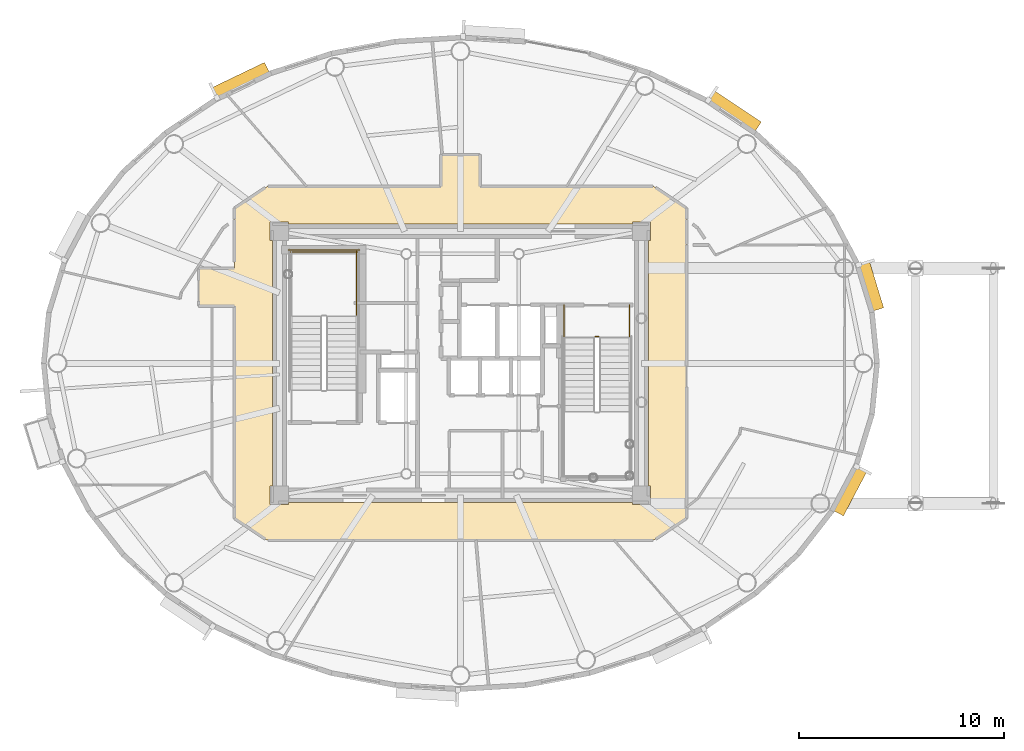
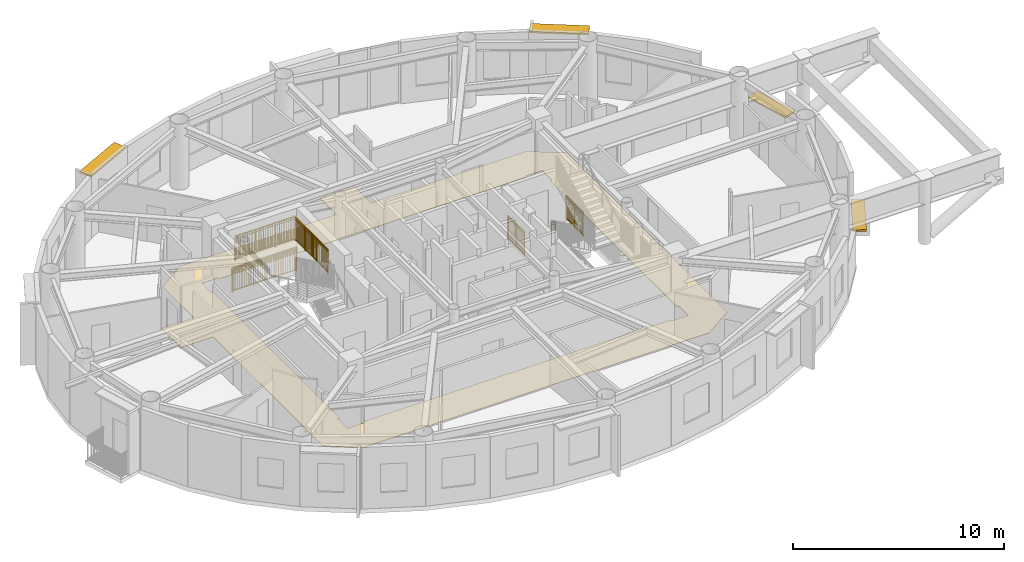
# One storey, part 18 of 19: 6 railings, 4 shading devices, 1 covering.
"""IFC4 building model written with IfcOpenShell, lengths in metres."""

from ifc_helpers import new_model, si_unit, direction, frame, origin, origin_2d, place, context, subcontext, project, spatial, polyline, rectangle, outline, extrude, source, transform, mapped, material, layer, layer_set, type_object, element, save


model = new_model("IFC4")

# Units and contexts
model_context = context("Model", 3, precision=1e-05, world=origin(), true_north=direction((0.0, 1.0)))
body_context = subcontext(model_context, "Body", "Model", "MODEL_VIEW")
ifc_project = project(units=[si_unit("LENGTHUNIT", "METRE"), si_unit("AREAUNIT", "SQUARE_METRE"), si_unit("VOLUMEUNIT", "CUBIC_METRE"), si_unit("PLANEANGLEUNIT", "RADIAN"), si_unit("MASSUNIT", "GRAM", prefix="KILO")], contexts=[model_context])

# Site, building, storey
site_placement = place(None, origin())
site = spatial("IfcSite", under=ifc_project, at=site_placement, CompositionType="ELEMENT")
building_placement = place(site_placement, origin())
building = spatial("IfcBuilding", under=site, at=building_placement, Name="Linh Dai School and Residence Tower", CompositionType="ELEMENT")
storey_placement = place(building_placement, frame((0.0, 0.0, 339.199951171875)))
storey = spatial("IfcBuildingStorey", under=building, at=storey_placement, Name="L84", CompositionType="ELEMENT", Elevation=339.199951171875)

# Covering
ifc_material_1 = material(Name="Polished Terrazzo Floor Finish", Category="masonry")
ifc_layer_1 = layer(ifc_material_1, 0.02490234375)
ifc_layer_set_1 = layer_set([ifc_layer_1], Name="Polished Terrazzo Floor Finish")
covering_type = type_object("IfcCoveringType", Name="COV-FLR-TRZ-25", PredefinedType="FLOORING", material=ifc_layer_set_1)
covering_placement = place(storey_placement, origin())
element("IfcCovering", 1, at=covering_placement, inside=storey, type_object=covering_type, Name="L84 Residential Floor Corridor Floor Finish", PredefinedType="FLOORING", context=body_context, shape_type="SweptSolid", body=[
    extrude(outline(polyline([(23.199951171875, 31.64990234375), (24.949951171875, 31.64990234375), (24.949951171875, 34.58251953125), (26.458740234375, 35.591796875), (26.580078125, 35.64990234375), (35.050048828125, 35.64990234375), (35.050048828125, 37.199951171875), (36.949951171875, 37.199951171875), (36.949951171875, 35.64990234375), (45.419921875, 35.64990234375), (45.541259765625, 35.591796875), (47.050048828125, 34.58251953125), (47.050048828125, 19.41748046875), (45.541259765625, 18.408203125), (45.419921875, 18.35009765625), (26.580078125, 18.35009765625), (26.458740234375, 18.408203125), (24.949951171875, 19.41748046875), (24.949951171875, 29.800048828125), (23.199951171875, 29.800048828125), (23.199951171875, 31.64990234375)]), holes=[polyline([(27.60009765625, 33.800048828125), (27.60009765625, 33.89990234375), (26.699951171875, 33.89990234375), (26.699951171875, 33.0), (26.800048828125, 33.0), (26.800048828125, 21.0), (26.699951171875, 21.0), (26.699951171875, 20.10009765625), (27.60009765625, 20.10009765625), (27.60009765625, 20.199951171875), (44.39990234375, 20.199951171875), (44.39990234375, 20.10009765625), (45.300048828125, 20.10009765625), (45.300048828125, 21.0), (45.199951171875, 21.0), (45.199951171875, 33.0), (45.300048828125, 33.0), (45.300048828125, 33.89990234375), (44.39990234375, 33.89990234375), (44.39990234375, 33.800048828125), (27.60009765625, 33.800048828125)])]), origin(), (0.0, 0.0, 1.0), 0.02001953125),
])

# Shading devices
ifc_material_2 = material(Name="Terracotta Ceramic Sunshade", Category="masonry")
ifc_layer_2 = layer(ifc_material_2, 0.10009765625)
ifc_layer_set_2 = layer_set([ifc_layer_2], Name="Terracotta Ceramic Sunshade")
shading_device_type = type_object("IfcShadingDeviceType", Name="SHD-TC-650", PredefinedType="USERDEFINED", material=ifc_layer_set_2)
shared_shape_1 = source(origin(), body_context, "Body", "SweptSolid", [
    extrude(rectangle(XDim=2.4365234375, YDim=0.64990234375, at=origin_2d()), origin(), (0.0, 0.0, 1.0), 0.10009765625),
])
shading_device_1_placement = place(storey_placement, frame((56.025634765625, 30.78369140625, 1.9150390625), z_axis=(0.0, 0.0, 1.0), x_axis=(0.293094784248, -0.956083389379, 0.0)))
element("IfcShadingDevice", 2, at=shading_device_1_placement, inside=storey, type_object=shading_device_type, Name="L84 Terracotta Horizontal Sunshade Band 02", ObjectType="SUNSHADE", PredefinedType="USERDEFINED", context=body_context, shape_type="MappedRepresentation", body=[
    mapped(shared_shape_1, transform((0.0, 0.0, 0.0), x_axis=(1.0, 0.0, 0.0), y_axis=(0.0, 1.0, 0.0), z_axis=(0.0, 0.0, 1.0), scale=1.0)),
])
shared_shape_2 = source(origin(), body_context, "Body", "SweptSolid", [
    extrude(rectangle(XDim=2.8076171875, YDim=0.64990234375, at=origin_2d()), origin(), (0.0, 0.0, 1.0), 0.10009765625),
])
shading_device_2_placement = place(storey_placement, frame((49.361572265625, 39.303955078125, 3.429931640625), z_axis=(0.0, 0.0, 1.0), x_axis=(0.831201837679, -0.555970777144, 0.0)))
element("IfcShadingDevice", 3, at=shading_device_2_placement, inside=storey, type_object=shading_device_type, Name="L84 Terracotta Horizontal Sunshade Band 06", ObjectType="SUNSHADE", PredefinedType="USERDEFINED", context=body_context, shape_type="MappedRepresentation", body=[
    mapped(shared_shape_2, transform((0.0, 0.0, 0.0), x_axis=(1.0, 0.0, 0.0), y_axis=(0.0, 1.0, 0.0), z_axis=(0.0, 0.0, 1.0), scale=1.0)),
])
shared_shape_3 = source(origin(), body_context, "Body", "SweptSolid", [
    extrude(rectangle(XDim=2.904052734375, YDim=0.64990234375, at=origin_2d()), origin(), (0.0, 0.0, 1.0), 0.10009765625),
])
shading_device_3_placement = place(storey_placement, frame((25.25244140625, 40.79150390625, 3.429931640625), z_axis=(0.0, 0.0, 1.0), x_axis=(0.901550652892, 0.432673572418, 0.0)))
element("IfcShadingDevice", 4, at=shading_device_3_placement, inside=storey, type_object=shading_device_type, Name="L84 Terracotta Horizontal Sunshade Band 14", ObjectType="SUNSHADE", PredefinedType="USERDEFINED", context=body_context, shape_type="MappedRepresentation", body=[
    mapped(shared_shape_3, transform((0.0, 0.0, 0.0), x_axis=(1.0, 0.0, 0.0), y_axis=(0.0, 1.0, 0.0), z_axis=(0.0, 0.0, 1.0), scale=1.0)),
])
shared_shape_4 = source(origin(), body_context, "Body", "SweptSolid", [
    extrude(rectangle(XDim=2.505615234375, YDim=0.64990234375, at=origin_2d()), origin(), (0.0, 0.0, 1.0), 0.10009765625),
])
shading_device_4_placement = place(storey_placement, frame((55.02294921875, 20.7998046875, 1.9150390625), z_axis=(0.0, 0.0, 1.0), x_axis=(-0.46754020214, -0.883971809156, 0.0)))
element("IfcShadingDevice", 5, at=shading_device_4_placement, inside=storey, type_object=shading_device_type, Name="L84 Terracotta Horizontal Sunshade Band 38", ObjectType="SUNSHADE", PredefinedType="USERDEFINED", context=body_context, shape_type="MappedRepresentation", body=[
    mapped(shared_shape_4, transform((0.0, 0.0, 0.0), x_axis=(1.0, 0.0, 0.0), y_axis=(0.0, 1.0, 0.0), z_axis=(0.0, 0.0, 1.0), scale=1.0)),
])

# Railings
ifc_material_3 = material(Name="Structural Steel S355JR", Category="steel")
railing_type = type_object("IfcRailingType", Name="RL-ST-GUARD-1400", PredefinedType="GUARDRAIL", material=ifc_material_3)
shared_shape_5 = source(origin(), body_context, "Body", "SweptSolid", [
    extrude(rectangle(XDim=0.048095703125, YDim=0.048095703125, at=origin_2d()), frame((0.0, 0.0, 1.3759765625), z_axis=(-1.0, 0.0, 0.0), x_axis=(0.0, -1.0, 0.0)), (0.0, 0.0, 1.0), 3.300048828125),
    extrude(rectangle(XDim=0.048095703125, YDim=0.048095703125, at=origin_2d()), frame((0.0, 0.0, 0.10009765625), z_axis=(-1.0, 0.0, 0.0), x_axis=(0.0, -1.0, 0.0)), (0.0, 0.0, 1.0), 3.300048828125),
    extrude(rectangle(XDim=0.030029296875, YDim=0.030029296875, at=origin_2d()), frame((0.0, 0.0, 1.239990234375), z_axis=(-1.0, 0.0, 0.0), x_axis=(0.0, -1.0, 0.0)), (0.0, 0.0, 1.0), 3.300048828125),
    extrude(rectangle(XDim=0.02001953125, YDim=0.02001953125, at=origin_2d()), frame((-0.09716796875, 0.0, 0.10009765625)), (0.0, 0.0, 1.0), 1.251708984375),
    extrude(rectangle(XDim=0.02001953125, YDim=0.02001953125, at=origin_2d()), frame((-0.194091796875, 0.0, 0.10009765625)), (0.0, 0.0, 1.0), 1.251708984375),
    extrude(rectangle(XDim=0.02001953125, YDim=0.02001953125, at=origin_2d()), frame((-0.291259765625, 0.0, 0.10009765625)), (0.0, 0.0, 1.0), 1.251708984375),
    extrude(rectangle(XDim=0.02001953125, YDim=0.02001953125, at=origin_2d()), frame((-0.38818359375, 0.0, 0.10009765625)), (0.0, 0.0, 1.0), 1.251708984375),
    extrude(rectangle(XDim=0.02001953125, YDim=0.02001953125, at=origin_2d()), frame((-0.4853515625, 0.0, 0.10009765625)), (0.0, 0.0, 1.0), 1.251708984375),
    extrude(rectangle(XDim=0.02001953125, YDim=0.02001953125, at=origin_2d()), frame((-0.582275390625, 0.0, 0.10009765625)), (0.0, 0.0, 1.0), 1.251708984375),
    extrude(rectangle(XDim=0.02001953125, YDim=0.02001953125, at=origin_2d()), frame((-0.679443359375, 0.0, 0.10009765625)), (0.0, 0.0, 1.0), 1.251708984375),
    extrude(rectangle(XDim=0.02001953125, YDim=0.02001953125, at=origin_2d()), frame((-0.7763671875, 0.0, 0.10009765625)), (0.0, 0.0, 1.0), 1.251708984375),
    extrude(rectangle(XDim=0.02001953125, YDim=0.02001953125, at=origin_2d()), frame((-0.87353515625, 0.0, 0.10009765625)), (0.0, 0.0, 1.0), 1.251708984375),
    extrude(rectangle(XDim=0.02001953125, YDim=0.02001953125, at=origin_2d()), frame((-0.970703125, 0.0, 0.10009765625)), (0.0, 0.0, 1.0), 1.251708984375),
    extrude(rectangle(XDim=0.02001953125, YDim=0.02001953125, at=origin_2d()), frame((-1.164794921875, 0.0, 0.10009765625)), (0.0, 0.0, 1.0), 1.251708984375),
    extrude(rectangle(XDim=0.02001953125, YDim=0.02001953125, at=origin_2d()), frame((-1.26171875, 0.0, 0.10009765625)), (0.0, 0.0, 1.0), 1.251708984375),
    extrude(rectangle(XDim=0.02001953125, YDim=0.02001953125, at=origin_2d()), frame((-1.35888671875, 0.0, 0.10009765625)), (0.0, 0.0, 1.0), 1.251708984375),
    extrude(rectangle(XDim=0.02001953125, YDim=0.02001953125, at=origin_2d()), frame((-1.455810546875, 0.0, 0.10009765625)), (0.0, 0.0, 1.0), 1.251708984375),
    extrude(rectangle(XDim=0.02001953125, YDim=0.02001953125, at=origin_2d()), frame((-1.552978515625, 0.0, 0.10009765625)), (0.0, 0.0, 1.0), 1.251708984375),
    extrude(rectangle(XDim=0.02001953125, YDim=0.02001953125, at=origin_2d()), frame((-1.64990234375, 0.0, 0.10009765625)), (0.0, 0.0, 1.0), 1.251708984375),
    extrude(rectangle(XDim=0.02001953125, YDim=0.02001953125, at=origin_2d()), frame((-1.7470703125, 0.0, 0.10009765625)), (0.0, 0.0, 1.0), 1.251708984375),
    extrude(rectangle(XDim=0.02001953125, YDim=0.02001953125, at=origin_2d()), frame((-1.84423828125, 0.0, 0.10009765625)), (0.0, 0.0, 1.0), 1.251708984375),
    extrude(rectangle(XDim=0.02001953125, YDim=0.02001953125, at=origin_2d()), frame((-1.941162109375, 0.0, 0.10009765625)), (0.0, 0.0, 1.0), 1.251708984375),
    extrude(rectangle(XDim=0.02001953125, YDim=0.02001953125, at=origin_2d()), frame((-2.038330078125, 0.0, 0.10009765625)), (0.0, 0.0, 1.0), 1.251708984375),
    extrude(rectangle(XDim=0.02001953125, YDim=0.02001953125, at=origin_2d()), frame((-2.13525390625, 0.0, 0.10009765625)), (0.0, 0.0, 1.0), 1.251708984375),
    extrude(rectangle(XDim=0.02001953125, YDim=0.02001953125, at=origin_2d()), frame((-2.329345703125, 0.0, 0.10009765625)), (0.0, 0.0, 1.0), 1.251708984375),
    extrude(rectangle(XDim=0.02001953125, YDim=0.02001953125, at=origin_2d()), frame((-2.426513671875, 0.0, 0.10009765625)), (0.0, 0.0, 1.0), 1.251708984375),
    extrude(rectangle(XDim=0.02001953125, YDim=0.02001953125, at=origin_2d()), frame((-2.523681640625, 0.0, 0.10009765625)), (0.0, 0.0, 1.0), 1.251708984375),
    extrude(rectangle(XDim=0.02001953125, YDim=0.02001953125, at=origin_2d()), frame((-2.62060546875, 0.0, 0.10009765625)), (0.0, 0.0, 1.0), 1.251708984375),
    extrude(rectangle(XDim=0.02001953125, YDim=0.02001953125, at=origin_2d()), frame((-2.7177734375, 0.0, 0.10009765625)), (0.0, 0.0, 1.0), 1.251708984375),
    extrude(rectangle(XDim=0.02001953125, YDim=0.02001953125, at=origin_2d()), frame((-2.814697265625, 0.0, 0.10009765625)), (0.0, 0.0, 1.0), 1.251708984375),
    extrude(rectangle(XDim=0.02001953125, YDim=0.02001953125, at=origin_2d()), frame((-2.911865234375, 0.0, 0.10009765625)), (0.0, 0.0, 1.0), 1.251708984375),
    extrude(rectangle(XDim=0.02001953125, YDim=0.02001953125, at=origin_2d()), frame((-3.0087890625, 0.0, 0.10009765625)), (0.0, 0.0, 1.0), 1.251708984375),
    extrude(rectangle(XDim=0.02001953125, YDim=0.02001953125, at=origin_2d()), frame((-3.10595703125, 0.0, 0.10009765625)), (0.0, 0.0, 1.0), 1.251708984375),
    extrude(rectangle(XDim=0.02001953125, YDim=0.02001953125, at=origin_2d()), frame((-3.202880859375, 0.0, 0.10009765625)), (0.0, 0.0, 1.0), 1.251708984375),
    extrude(rectangle(XDim=0.0419921875, YDim=0.0419921875, at=origin_2d()), origin(), (0.0, 0.0, 1.0), 1.3759765625),
    extrude(rectangle(XDim=0.0419921875, YDim=0.0419921875, at=origin_2d()), frame((-1.10009765625, 0.0, 0.0)), (0.0, 0.0, 1.0), 1.3759765625),
    extrude(rectangle(XDim=0.0419921875, YDim=0.0419921875, at=origin_2d()), frame((-2.199951171875, 0.0, 0.0)), (0.0, 0.0, 1.0), 1.3759765625),
    extrude(rectangle(XDim=0.0419921875, YDim=0.0419921875, at=origin_2d()), frame((-3.300048828125, 0.0, 0.0)), (0.0, 0.0, 1.0), 1.3759765625),
])
railing_1_placement = place(storey_placement, frame((30.97998046875, 32.449951171875, 1.900146484375)))
element("IfcRailing", 6, at=railing_1_placement, inside=storey, type_object=railing_type, Name="L84 ST1 stair guard 5", PredefinedType="GUARDRAIL", context=body_context, shape_type="MappedRepresentation", body=[
    mapped(shared_shape_5, transform((0.0, 0.0, 0.0), x_axis=(1.0, 0.0, 0.0), y_axis=(0.0, 1.0, 0.0), z_axis=(0.0, 0.0, 1.0), scale=1.0)),
])
shared_shape_6 = source(origin(), body_context, "Body", "SweptSolid", [
    extrude(rectangle(XDim=0.048095703125, YDim=0.048095703125, at=origin_2d()), frame((0.0, 0.0, 1.3759765625), z_axis=(-1.0, 0.0, 0.0), x_axis=(0.0, -1.0, 0.0)), (0.0, 0.0, 1.0), 3.5),
    extrude(rectangle(XDim=0.048095703125, YDim=0.048095703125, at=origin_2d()), frame((0.0, 0.0, 0.10009765625), z_axis=(-1.0, 0.0, 0.0), x_axis=(0.0, -1.0, 0.0)), (0.0, 0.0, 1.0), 3.5),
    extrude(rectangle(XDim=0.030029296875, YDim=0.030029296875, at=origin_2d()), frame((0.0, 0.0, 1.239990234375), z_axis=(-1.0, 0.0, 0.0), x_axis=(0.0, -1.0, 0.0)), (0.0, 0.0, 1.0), 3.5),
    extrude(rectangle(XDim=0.02001953125, YDim=0.02001953125, at=origin_2d()), frame((-0.09716796875, 0.0, 0.10009765625)), (0.0, 0.0, 1.0), 1.251708984375),
    extrude(rectangle(XDim=0.02001953125, YDim=0.02001953125, at=origin_2d()), frame((-0.1943359375, 0.0, 0.10009765625)), (0.0, 0.0, 1.0), 1.251708984375),
    extrude(rectangle(XDim=0.02001953125, YDim=0.02001953125, at=origin_2d()), frame((-0.291748046875, 0.0, 0.10009765625)), (0.0, 0.0, 1.0), 1.251708984375),
    extrude(rectangle(XDim=0.02001953125, YDim=0.02001953125, at=origin_2d()), frame((-0.388916015625, 0.0, 0.10009765625)), (0.0, 0.0, 1.0), 1.251708984375),
    extrude(rectangle(XDim=0.02001953125, YDim=0.02001953125, at=origin_2d()), frame((-0.486083984375, 0.0, 0.10009765625)), (0.0, 0.0, 1.0), 1.251708984375),
    extrude(rectangle(XDim=0.02001953125, YDim=0.02001953125, at=origin_2d()), frame((-0.583251953125, 0.0, 0.10009765625)), (0.0, 0.0, 1.0), 1.251708984375),
    extrude(rectangle(XDim=0.02001953125, YDim=0.02001953125, at=origin_2d()), frame((-0.6806640625, 0.0, 0.10009765625)), (0.0, 0.0, 1.0), 1.251708984375),
    extrude(rectangle(XDim=0.02001953125, YDim=0.02001953125, at=origin_2d()), frame((-0.77783203125, 0.0, 0.10009765625)), (0.0, 0.0, 1.0), 1.251708984375),
    extrude(rectangle(XDim=0.02001953125, YDim=0.02001953125, at=origin_2d()), frame((-0.875, 0.0, 0.10009765625)), (0.0, 0.0, 1.0), 1.251708984375),
    extrude(rectangle(XDim=0.02001953125, YDim=0.02001953125, at=origin_2d()), frame((-0.97216796875, 0.0, 0.10009765625)), (0.0, 0.0, 1.0), 1.251708984375),
    extrude(rectangle(XDim=0.02001953125, YDim=0.02001953125, at=origin_2d()), frame((-1.0693359375, 0.0, 0.10009765625)), (0.0, 0.0, 1.0), 1.251708984375),
    extrude(rectangle(XDim=0.02001953125, YDim=0.02001953125, at=origin_2d()), frame((-1.263916015625, 0.0, 0.10009765625)), (0.0, 0.0, 1.0), 1.251708984375),
    extrude(rectangle(XDim=0.02001953125, YDim=0.02001953125, at=origin_2d()), frame((-1.361083984375, 0.0, 0.10009765625)), (0.0, 0.0, 1.0), 1.251708984375),
    extrude(rectangle(XDim=0.02001953125, YDim=0.02001953125, at=origin_2d()), frame((-1.458251953125, 0.0, 0.10009765625)), (0.0, 0.0, 1.0), 1.251708984375),
    extrude(rectangle(XDim=0.02001953125, YDim=0.02001953125, at=origin_2d()), frame((-1.5556640625, 0.0, 0.10009765625)), (0.0, 0.0, 1.0), 1.251708984375),
    extrude(rectangle(XDim=0.02001953125, YDim=0.02001953125, at=origin_2d()), frame((-1.65283203125, 0.0, 0.10009765625)), (0.0, 0.0, 1.0), 1.251708984375),
    extrude(rectangle(XDim=0.02001953125, YDim=0.02001953125, at=origin_2d()), frame((-1.75, 0.0, 0.10009765625)), (0.0, 0.0, 1.0), 1.251708984375),
    extrude(rectangle(XDim=0.02001953125, YDim=0.02001953125, at=origin_2d()), frame((-1.84716796875, 0.0, 0.10009765625)), (0.0, 0.0, 1.0), 1.251708984375),
    extrude(rectangle(XDim=0.02001953125, YDim=0.02001953125, at=origin_2d()), frame((-1.9443359375, 0.0, 0.10009765625)), (0.0, 0.0, 1.0), 1.251708984375),
    extrude(rectangle(XDim=0.02001953125, YDim=0.02001953125, at=origin_2d()), frame((-2.041748046875, 0.0, 0.10009765625)), (0.0, 0.0, 1.0), 1.251708984375),
    extrude(rectangle(XDim=0.02001953125, YDim=0.02001953125, at=origin_2d()), frame((-2.138916015625, 0.0, 0.10009765625)), (0.0, 0.0, 1.0), 1.251708984375),
    extrude(rectangle(XDim=0.02001953125, YDim=0.02001953125, at=origin_2d()), frame((-2.236083984375, 0.0, 0.10009765625)), (0.0, 0.0, 1.0), 1.251708984375),
    extrude(rectangle(XDim=0.02001953125, YDim=0.02001953125, at=origin_2d()), frame((-2.4306640625, 0.0, 0.10009765625)), (0.0, 0.0, 1.0), 1.251708984375),
    extrude(rectangle(XDim=0.02001953125, YDim=0.02001953125, at=origin_2d()), frame((-2.52783203125, 0.0, 0.10009765625)), (0.0, 0.0, 1.0), 1.251708984375),
    extrude(rectangle(XDim=0.02001953125, YDim=0.02001953125, at=origin_2d()), frame((-2.625, 0.0, 0.10009765625)), (0.0, 0.0, 1.0), 1.251708984375),
    extrude(rectangle(XDim=0.02001953125, YDim=0.02001953125, at=origin_2d()), frame((-2.72216796875, 0.0, 0.10009765625)), (0.0, 0.0, 1.0), 1.251708984375),
    extrude(rectangle(XDim=0.02001953125, YDim=0.02001953125, at=origin_2d()), frame((-2.8193359375, 0.0, 0.10009765625)), (0.0, 0.0, 1.0), 1.251708984375),
    extrude(rectangle(XDim=0.02001953125, YDim=0.02001953125, at=origin_2d()), frame((-2.916748046875, 0.0, 0.10009765625)), (0.0, 0.0, 1.0), 1.251708984375),
    extrude(rectangle(XDim=0.02001953125, YDim=0.02001953125, at=origin_2d()), frame((-3.013916015625, 0.0, 0.10009765625)), (0.0, 0.0, 1.0), 1.251708984375),
    extrude(rectangle(XDim=0.02001953125, YDim=0.02001953125, at=origin_2d()), frame((-3.111083984375, 0.0, 0.10009765625)), (0.0, 0.0, 1.0), 1.251708984375),
    extrude(rectangle(XDim=0.02001953125, YDim=0.02001953125, at=origin_2d()), frame((-3.208251953125, 0.0, 0.10009765625)), (0.0, 0.0, 1.0), 1.251708984375),
    extrude(rectangle(XDim=0.02001953125, YDim=0.02001953125, at=origin_2d()), frame((-3.3056640625, 0.0, 0.10009765625)), (0.0, 0.0, 1.0), 1.251708984375),
    extrude(rectangle(XDim=0.02001953125, YDim=0.02001953125, at=origin_2d()), frame((-3.40283203125, 0.0, 0.10009765625)), (0.0, 0.0, 1.0), 1.251708984375),
    extrude(rectangle(XDim=0.0419921875, YDim=0.0419921875, at=origin_2d()), origin(), (0.0, 0.0, 1.0), 1.3759765625),
    extrude(rectangle(XDim=0.0419921875, YDim=0.0419921875, at=origin_2d()), frame((-1.166748046875, 0.0, 0.0)), (0.0, 0.0, 1.0), 1.3759765625),
    extrude(rectangle(XDim=0.0419921875, YDim=0.0419921875, at=origin_2d()), frame((-2.333251953125, 0.0, 0.0)), (0.0, 0.0, 1.0), 1.3759765625),
    extrude(rectangle(XDim=0.0419921875, YDim=0.0419921875, at=origin_2d()), frame((-3.5, 0.0, 0.0)), (0.0, 0.0, 1.0), 1.3759765625),
])
railing_2_placement = place(storey_placement, frame((31.080078125, 32.550048828125, 0.0)))
element("IfcRailing", 7, at=railing_2_placement, inside=storey, type_object=railing_type, Name="L84 ST1 stair guard 12", PredefinedType="GUARDRAIL", context=body_context, shape_type="MappedRepresentation", body=[
    mapped(shared_shape_6, transform((0.0, 0.0, 0.0), x_axis=(1.0, 0.0, 0.0), y_axis=(0.0, 1.0, 0.0), z_axis=(0.0, 0.0, 1.0), scale=1.0)),
])
shared_shape_7 = source(origin(), body_context, "Body", "SweptSolid", [
    extrude(rectangle(XDim=0.048095703125, YDim=0.048095703125, at=origin_2d()), frame((0.0, 0.0, 1.3759765625), z_axis=(0.0, 1.0, 0.0), x_axis=(-1.0, 0.0, 0.0)), (0.0, 0.0, 1.0), 3.199951171875),
    extrude(rectangle(XDim=0.048095703125, YDim=0.048095703125, at=origin_2d()), frame((0.0, 0.0, 0.10009765625), z_axis=(0.0, 1.0, 0.0), x_axis=(-1.0, 0.0, 0.0)), (0.0, 0.0, 1.0), 3.199951171875),
    extrude(rectangle(XDim=0.030029296875, YDim=0.030029296875, at=origin_2d()), frame((0.0, 0.0, 1.239990234375), z_axis=(0.0, 1.0, 0.0), x_axis=(-1.0, 0.0, 0.0)), (0.0, 0.0, 1.0), 3.199951171875),
    extrude(rectangle(XDim=0.02001953125, YDim=0.02001953125, at=origin_2d()), frame((0.0, 0.096923828125, 0.10009765625)), (0.0, 0.0, 1.0), 1.251708984375),
    extrude(rectangle(XDim=0.02001953125, YDim=0.02001953125, at=origin_2d()), frame((0.0, 0.19384765625, 0.10009765625)), (0.0, 0.0, 1.0), 1.251708984375),
    extrude(rectangle(XDim=0.02001953125, YDim=0.02001953125, at=origin_2d()), frame((0.0, 0.291015625, 0.10009765625)), (0.0, 0.0, 1.0), 1.251708984375),
    extrude(rectangle(XDim=0.02001953125, YDim=0.02001953125, at=origin_2d()), frame((0.0, 0.387939453125, 0.10009765625)), (0.0, 0.0, 1.0), 1.251708984375),
    extrude(rectangle(XDim=0.02001953125, YDim=0.02001953125, at=origin_2d()), frame((0.0, 0.48486328125, 0.10009765625)), (0.0, 0.0, 1.0), 1.251708984375),
    extrude(rectangle(XDim=0.02001953125, YDim=0.02001953125, at=origin_2d()), frame((0.0, 0.581787109375, 0.10009765625)), (0.0, 0.0, 1.0), 1.251708984375),
    extrude(rectangle(XDim=0.02001953125, YDim=0.02001953125, at=origin_2d()), frame((0.0, 0.6787109375, 0.10009765625)), (0.0, 0.0, 1.0), 1.251708984375),
    extrude(rectangle(XDim=0.02001953125, YDim=0.02001953125, at=origin_2d()), frame((0.0, 0.775634765625, 0.10009765625)), (0.0, 0.0, 1.0), 1.251708984375),
    extrude(rectangle(XDim=0.02001953125, YDim=0.02001953125, at=origin_2d()), frame((0.0, 0.872802734375, 0.10009765625)), (0.0, 0.0, 1.0), 1.251708984375),
    extrude(rectangle(XDim=0.02001953125, YDim=0.02001953125, at=origin_2d()), frame((0.0, 0.9697265625, 0.10009765625)), (0.0, 0.0, 1.0), 1.251708984375),
    extrude(rectangle(XDim=0.02001953125, YDim=0.02001953125, at=origin_2d()), frame((0.0, 1.16357421875, 0.10009765625)), (0.0, 0.0, 1.0), 1.251708984375),
    extrude(rectangle(XDim=0.02001953125, YDim=0.02001953125, at=origin_2d()), frame((0.0, 1.260498046875, 0.10009765625)), (0.0, 0.0, 1.0), 1.251708984375),
    extrude(rectangle(XDim=0.02001953125, YDim=0.02001953125, at=origin_2d()), frame((0.0, 1.357666015625, 0.10009765625)), (0.0, 0.0, 1.0), 1.251708984375),
    extrude(rectangle(XDim=0.02001953125, YDim=0.02001953125, at=origin_2d()), frame((0.0, 1.45458984375, 0.10009765625)), (0.0, 0.0, 1.0), 1.251708984375),
    extrude(rectangle(XDim=0.02001953125, YDim=0.02001953125, at=origin_2d()), frame((0.0, 1.551513671875, 0.10009765625)), (0.0, 0.0, 1.0), 1.251708984375),
    extrude(rectangle(XDim=0.02001953125, YDim=0.02001953125, at=origin_2d()), frame((0.0, 1.6484375, 0.10009765625)), (0.0, 0.0, 1.0), 1.251708984375),
    extrude(rectangle(XDim=0.02001953125, YDim=0.02001953125, at=origin_2d()), frame((0.0, 1.745361328125, 0.10009765625)), (0.0, 0.0, 1.0), 1.251708984375),
    extrude(rectangle(XDim=0.02001953125, YDim=0.02001953125, at=origin_2d()), frame((0.0, 1.84228515625, 0.10009765625)), (0.0, 0.0, 1.0), 1.251708984375),
    extrude(rectangle(XDim=0.02001953125, YDim=0.02001953125, at=origin_2d()), frame((0.0, 1.939453125, 0.10009765625)), (0.0, 0.0, 1.0), 1.251708984375),
    extrude(rectangle(XDim=0.02001953125, YDim=0.02001953125, at=origin_2d()), frame((0.0, 2.036376953125, 0.10009765625)), (0.0, 0.0, 1.0), 1.251708984375),
    extrude(rectangle(XDim=0.02001953125, YDim=0.02001953125, at=origin_2d()), frame((0.0, 2.230224609375, 0.10009765625)), (0.0, 0.0, 1.0), 1.251708984375),
    extrude(rectangle(XDim=0.02001953125, YDim=0.02001953125, at=origin_2d()), frame((0.0, 2.3271484375, 0.10009765625)), (0.0, 0.0, 1.0), 1.251708984375),
    extrude(rectangle(XDim=0.02001953125, YDim=0.02001953125, at=origin_2d()), frame((0.0, 2.42431640625, 0.10009765625)), (0.0, 0.0, 1.0), 1.251708984375),
    extrude(rectangle(XDim=0.02001953125, YDim=0.02001953125, at=origin_2d()), frame((0.0, 2.521240234375, 0.10009765625)), (0.0, 0.0, 1.0), 1.251708984375),
    extrude(rectangle(XDim=0.02001953125, YDim=0.02001953125, at=origin_2d()), frame((0.0, 2.6181640625, 0.10009765625)), (0.0, 0.0, 1.0), 1.251708984375),
    extrude(rectangle(XDim=0.02001953125, YDim=0.02001953125, at=origin_2d()), frame((0.0, 2.715087890625, 0.10009765625)), (0.0, 0.0, 1.0), 1.251708984375),
    extrude(rectangle(XDim=0.02001953125, YDim=0.02001953125, at=origin_2d()), frame((0.0, 2.81201171875, 0.10009765625)), (0.0, 0.0, 1.0), 1.251708984375),
    extrude(rectangle(XDim=0.02001953125, YDim=0.02001953125, at=origin_2d()), frame((0.0, 2.908935546875, 0.10009765625)), (0.0, 0.0, 1.0), 1.251708984375),
    extrude(rectangle(XDim=0.02001953125, YDim=0.02001953125, at=origin_2d()), frame((0.0, 3.006103515625, 0.10009765625)), (0.0, 0.0, 1.0), 1.251708984375),
    extrude(rectangle(XDim=0.02001953125, YDim=0.02001953125, at=origin_2d()), frame((0.0, 3.10302734375, 0.10009765625)), (0.0, 0.0, 1.0), 1.251708984375),
    extrude(rectangle(XDim=0.0419921875, YDim=0.0419921875, at=origin_2d()), origin(), (0.0, 0.0, 1.0), 1.3759765625),
    extrude(rectangle(XDim=0.0419921875, YDim=0.0419921875, at=origin_2d()), frame((0.0, 1.066650390625, 0.0)), (0.0, 0.0, 1.0), 1.3759765625),
    extrude(rectangle(XDim=0.0419921875, YDim=0.0419921875, at=origin_2d()), frame((0.0, 2.13330078125, 0.0)), (0.0, 0.0, 1.0), 1.3759765625),
    extrude(rectangle(XDim=0.0419921875, YDim=0.0419921875, at=origin_2d()), frame((0.0, 3.199951171875, 0.0)), (0.0, 0.0, 1.0), 1.3759765625),
])
railing_3_placement = place(storey_placement, frame((30.929931640625, 29.300048828125, 1.900146484375)))
element("IfcRailing", 8, at=railing_3_placement, inside=storey, type_object=railing_type, Name="L84 ST1 stair guard 3", PredefinedType="GUARDRAIL", context=body_context, shape_type="MappedRepresentation", body=[
    mapped(shared_shape_7, transform((0.0, 0.0, 0.0), x_axis=(1.0, 0.0, 0.0), y_axis=(0.0, 1.0, 0.0), z_axis=(0.0, 0.0, 1.0), scale=1.0)),
])
shared_shape_8 = source(origin(), body_context, "Body", "SweptSolid", [
    extrude(rectangle(XDim=0.048095703125, YDim=0.048095703125, at=origin_2d()), frame((0.0, 0.0, 1.3759765625), z_axis=(1.0, 0.0, 0.0), x_axis=(0.0, 1.0, 0.0)), (0.0, 0.0, 1.0), 0.199951171875),
    extrude(rectangle(XDim=0.048095703125, YDim=0.048095703125, at=origin_2d()), frame((0.0, 0.0, 0.10009765625), z_axis=(1.0, 0.0, 0.0), x_axis=(0.0, 1.0, 0.0)), (0.0, 0.0, 1.0), 0.199951171875),
    extrude(rectangle(XDim=0.030029296875, YDim=0.030029296875, at=origin_2d()), frame((0.0, 0.0, 1.239990234375), z_axis=(1.0, 0.0, 0.0), x_axis=(0.0, 1.0, 0.0)), (0.0, 0.0, 1.0), 0.199951171875),
    extrude(rectangle(XDim=0.0419921875, YDim=0.0419921875, at=origin_2d()), origin(), (0.0, 0.0, 1.0), 1.3759765625),
    extrude(rectangle(XDim=0.0419921875, YDim=0.0419921875, at=origin_2d()), frame((0.199951171875, 0.0, 0.0)), (0.0, 0.0, 1.0), 1.3759765625),
])
railing_4_placement = place(storey_placement, frame((42.570068359375, 28.300048828125, 0.0)))
element("IfcRailing", 9, at=railing_4_placement, inside=storey, type_object=railing_type, Name="L84 ST2 stair guard 7", PredefinedType="GUARDRAIL", context=body_context, shape_type="MappedRepresentation", body=[
    mapped(shared_shape_8, transform((0.0, 0.0, 0.0), x_axis=(1.0, 0.0, 0.0), y_axis=(0.0, 1.0, 0.0), z_axis=(0.0, 0.0, 1.0), scale=1.0)),
])
shared_shape_9 = source(origin(), body_context, "Body", "SweptSolid", [
    extrude(rectangle(XDim=0.048095703125, YDim=0.048095703125, at=origin_2d()), frame((0.0, 0.0, 1.3759765625), z_axis=(0.0, -1.0, 0.0), x_axis=(1.0, 0.0, 0.0)), (0.0, 0.0, 1.0), 1.60009765625),
    extrude(rectangle(XDim=0.048095703125, YDim=0.048095703125, at=origin_2d()), frame((0.0, 0.0, 0.10009765625), z_axis=(0.0, -1.0, 0.0), x_axis=(1.0, 0.0, 0.0)), (0.0, 0.0, 1.0), 1.60009765625),
    extrude(rectangle(XDim=0.030029296875, YDim=0.030029296875, at=origin_2d()), frame((0.0, 0.0, 1.239990234375), z_axis=(0.0, -1.0, 0.0), x_axis=(1.0, 0.0, 0.0)), (0.0, 0.0, 1.0), 1.60009765625),
    extrude(rectangle(XDim=0.02001953125, YDim=0.02001953125, at=origin_2d()), frame((0.0, -0.09423828125, 0.10009765625)), (0.0, 0.0, 1.0), 1.251708984375),
    extrude(rectangle(XDim=0.02001953125, YDim=0.02001953125, at=origin_2d()), frame((0.0, -0.188232421875, 0.10009765625)), (0.0, 0.0, 1.0), 1.251708984375),
    extrude(rectangle(XDim=0.02001953125, YDim=0.02001953125, at=origin_2d()), frame((0.0, -0.282470703125, 0.10009765625)), (0.0, 0.0, 1.0), 1.251708984375),
    extrude(rectangle(XDim=0.02001953125, YDim=0.02001953125, at=origin_2d()), frame((0.0, -0.37646484375, 0.10009765625)), (0.0, 0.0, 1.0), 1.251708984375),
    extrude(rectangle(XDim=0.02001953125, YDim=0.02001953125, at=origin_2d()), frame((0.0, -0.470703125, 0.10009765625)), (0.0, 0.0, 1.0), 1.251708984375),
    extrude(rectangle(XDim=0.02001953125, YDim=0.02001953125, at=origin_2d()), frame((0.0, -0.564697265625, 0.10009765625)), (0.0, 0.0, 1.0), 1.251708984375),
    extrude(rectangle(XDim=0.02001953125, YDim=0.02001953125, at=origin_2d()), frame((0.0, -0.658935546875, 0.10009765625)), (0.0, 0.0, 1.0), 1.251708984375),
    extrude(rectangle(XDim=0.02001953125, YDim=0.02001953125, at=origin_2d()), frame((0.0, -0.7529296875, 0.10009765625)), (0.0, 0.0, 1.0), 1.251708984375),
    extrude(rectangle(XDim=0.02001953125, YDim=0.02001953125, at=origin_2d()), frame((0.0, -0.84716796875, 0.10009765625)), (0.0, 0.0, 1.0), 1.251708984375),
    extrude(rectangle(XDim=0.02001953125, YDim=0.02001953125, at=origin_2d()), frame((0.0, -0.941162109375, 0.10009765625)), (0.0, 0.0, 1.0), 1.251708984375),
    extrude(rectangle(XDim=0.02001953125, YDim=0.02001953125, at=origin_2d()), frame((0.0, -1.035400390625, 0.10009765625)), (0.0, 0.0, 1.0), 1.251708984375),
    extrude(rectangle(XDim=0.02001953125, YDim=0.02001953125, at=origin_2d()), frame((0.0, -1.12939453125, 0.10009765625)), (0.0, 0.0, 1.0), 1.251708984375),
    extrude(rectangle(XDim=0.02001953125, YDim=0.02001953125, at=origin_2d()), frame((0.0, -1.2236328125, 0.10009765625)), (0.0, 0.0, 1.0), 1.251708984375),
    extrude(rectangle(XDim=0.02001953125, YDim=0.02001953125, at=origin_2d()), frame((0.0, -1.317626953125, 0.10009765625)), (0.0, 0.0, 1.0), 1.251708984375),
    extrude(rectangle(XDim=0.02001953125, YDim=0.02001953125, at=origin_2d()), frame((0.0, -1.411865234375, 0.10009765625)), (0.0, 0.0, 1.0), 1.251708984375),
    extrude(rectangle(XDim=0.02001953125, YDim=0.02001953125, at=origin_2d()), frame((0.0, -1.505859375, 0.10009765625)), (0.0, 0.0, 1.0), 1.251708984375),
    extrude(rectangle(XDim=0.0419921875, YDim=0.0419921875, at=origin_2d()), origin(), (0.0, 0.0, 1.0), 1.3759765625),
    extrude(rectangle(XDim=0.0419921875, YDim=0.0419921875, at=origin_2d()), frame((0.0, -0.800048828125, 0.0)), (0.0, 0.0, 1.0), 1.3759765625),
    extrude(rectangle(XDim=0.0419921875, YDim=0.0419921875, at=origin_2d()), frame((0.0, -1.60009765625, 0.0)), (0.0, 0.0, 1.0), 1.3759765625),
])
for number, where, name in (
    (10, (41.070068359375, 29.85009765625, 0.0), "L84 ST2 stair guard 8"),
    (11, (44.27001953125, 29.85009765625, 0.0), "L84 ST2 stair guard 9"),
):
    element("IfcRailing", number, at=place(storey_placement, frame(where)), inside=storey, type_object=railing_type, Name=name, PredefinedType="GUARDRAIL", context=body_context, shape_type="MappedRepresentation", body=[
        mapped(shared_shape_9, transform((0.0, 0.0, 0.0), x_axis=(1.0, 0.0, 0.0), y_axis=(0.0, 1.0, 0.0), z_axis=(0.0, 0.0, 1.0), scale=1.0)),
    ])

save(model, "model.ifc")
